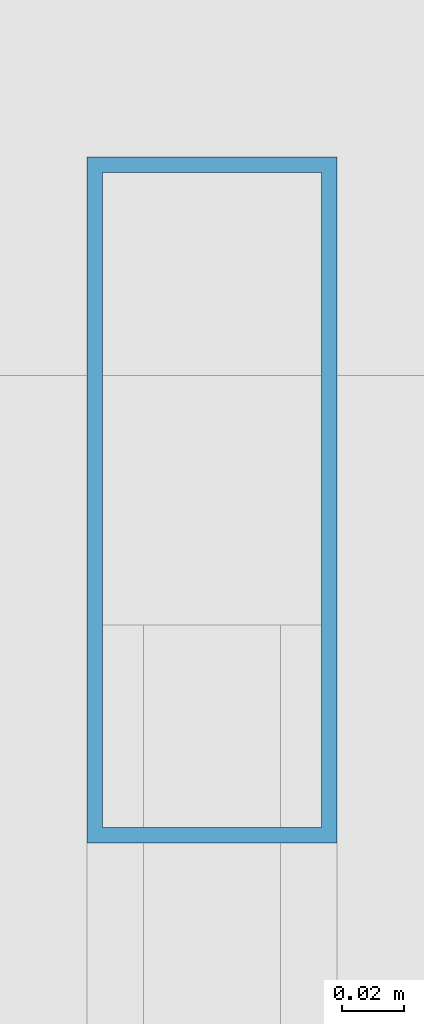
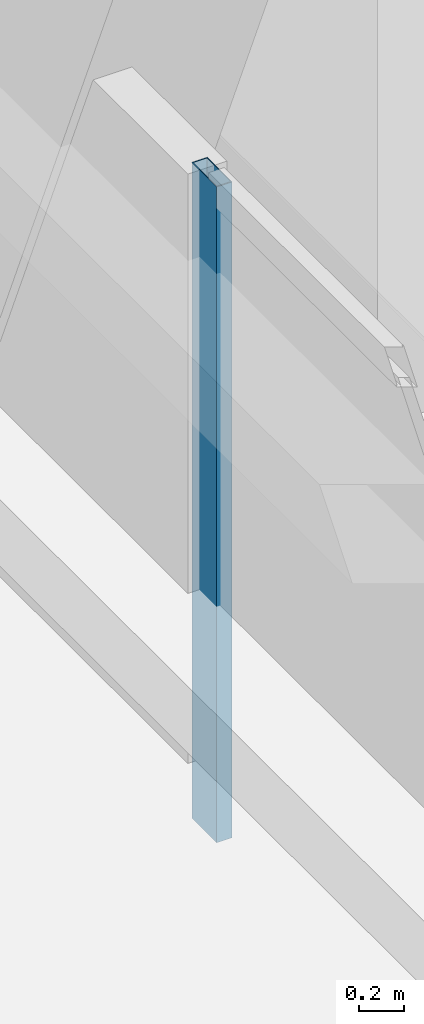
# One storey, part 21 of 67: 1 member, 1 element without a shape of its own.
"""IFC4 building model written with IfcOpenShell, lengths in metres."""

from ifc_helpers import new_model, si_unit, direction, frame, origin, origin_2d, place, context, subcontext, project, spatial, hollow_rectangle, extrude, material, material_profile, profile_set, type_object, element, aggregate, save


model = new_model("IFC4")

# Units and contexts
model_context = context("Model", 3, precision=1e-05, world=origin(), true_north=direction((0.0, 1.0)))
body_context = subcontext(model_context, "Body", "Model", "MODEL_VIEW")
ifc_project = project(units=[si_unit("LENGTHUNIT", "METRE"), si_unit("AREAUNIT", "SQUARE_METRE"), si_unit("VOLUMEUNIT", "CUBIC_METRE"), si_unit("PLANEANGLEUNIT", "RADIAN"), si_unit("MASSUNIT", "GRAM", prefix="KILO")], contexts=[model_context])

# Site, building, storey
site_placement = place(None, origin())
site = spatial("IfcSite", under=ifc_project, at=site_placement, CompositionType="ELEMENT")
building_placement = place(site_placement, origin())
building = spatial("IfcBuilding", under=site, at=building_placement, Name="Tashvorn Skyway Center", CompositionType="ELEMENT")
storey_placement = place(building_placement, frame((0.0, 0.0, 67.199951171875)))
storey = spatial("IfcBuildingStorey", under=building, at=storey_placement, Name="L17", CompositionType="ELEMENT", Elevation=67.199951171875)

# Curtain wall, member
ifc_material = material(Name="Thermally broken bronze-anodized aluminium 6063-T6", Category="aluminium")
curtain_wall_type = type_object("IfcCurtainWallType", Name="CW-CW-Z2", PredefinedType="NOTDEFINED", material=ifc_material)
curtain_wall_placement = place(storey_placement, origin())
curtain_wall = element("IfcCurtainWall", 1, at=curtain_wall_placement, inside=storey, type_object=curtain_wall_type, Name="Tower 1 L17 West Unitised Curtain Wall Glazing Group 3", PredefinedType="NOTDEFINED")
ifc_material_profile = material_profile(ifc_material, hollow_rectangle(XDim=0.080078125, YDim=0.219970703125, WallThickness=0.0048828125, at=origin_2d()), Name="ALU-MULL-80x220")
ifc_profile_set = profile_set([ifc_material_profile], Name="Thermally broken bronze-anodized aluminium 6063-T6")
member_type = type_object("IfcMemberType", Name="CWM-CW-Z2", PredefinedType="MULLION", material=ifc_profile_set)
member_placement = place(storey_placement, frame((21.02001953125, 47.110107421875, 0.0), z_axis=(0.0, 0.0, 1.0), x_axis=(-1.0, 0.0, 0.0)))
member = element("IfcMember", 2, at=member_placement, type_object=member_type, Name="CW-Z2 mullion 3", PredefinedType="MULLION", context=body_context, shape_type="SweptSolid", body=[
    extrude(hollow_rectangle(XDim=0.080078125, YDim=0.219970703125, WallThickness=0.0048828125, at=origin_2d()), origin(), (0.0, 0.0, 1.0), 3.550048828125),
])
aggregate(curtain_wall, [member])

save(model, "model.ifc")
